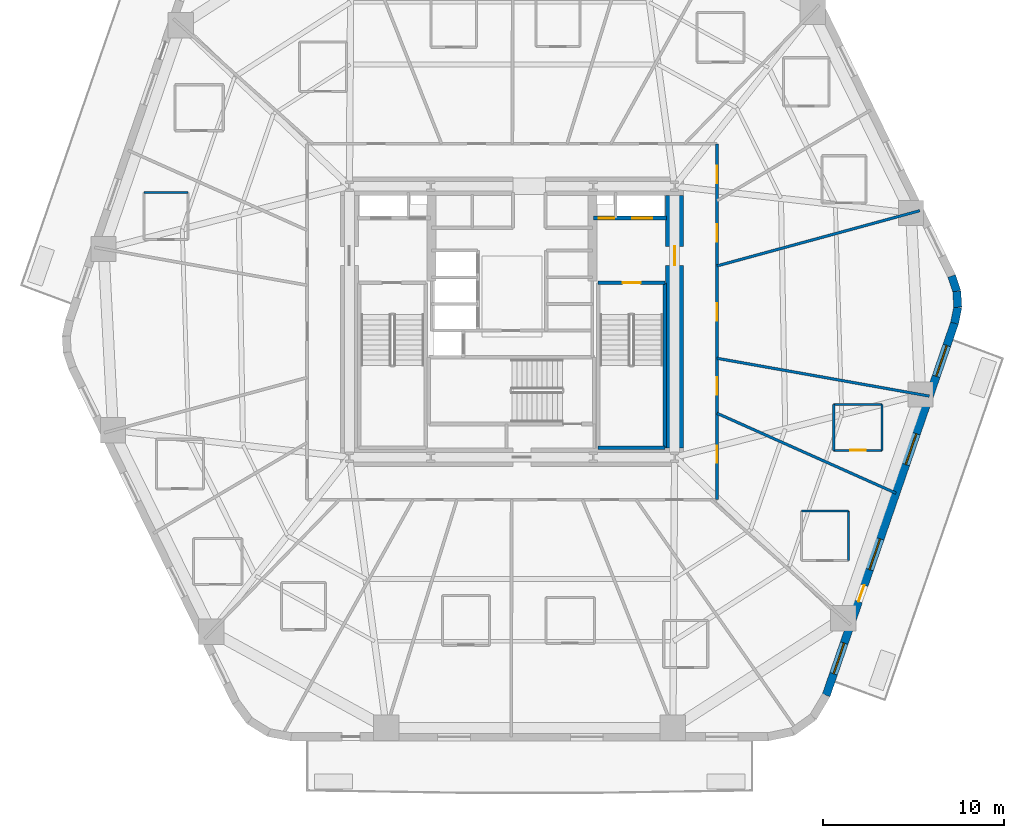
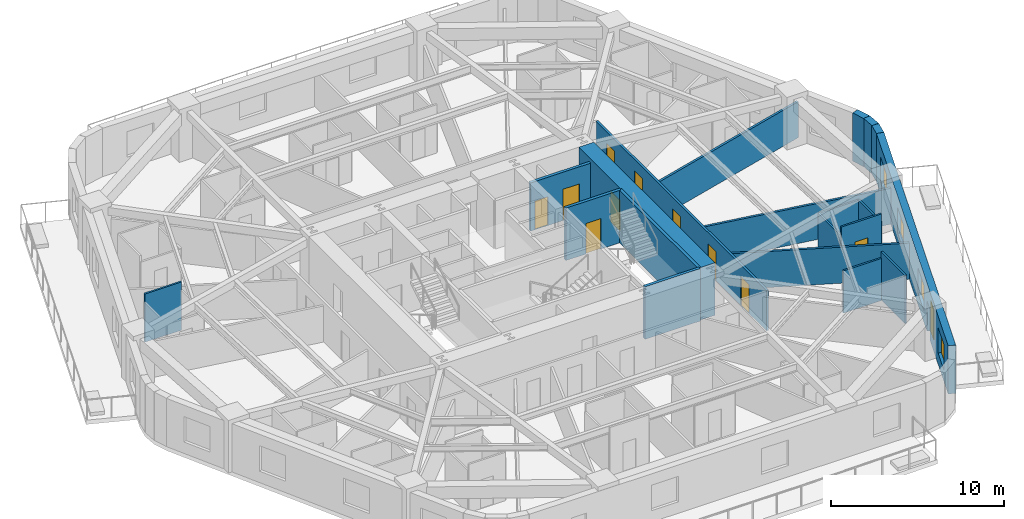
# One storey, part 5 of 11: 20 walls, 11 doors, 4 windows, 15 openings.
"""IFC4 building model written with IfcOpenShell, lengths in metres."""

from ifc_helpers import new_model, si_unit, direction, frame, frame_2d, origin, place, context, subcontext, project, spatial, rectangle, extrude, material, layer, layer_set, type_object, element, fill, save


model = new_model("IFC4")

# Units and contexts
model_context = context("Model", 3, precision=1e-05, world=origin(), true_north=direction((0.0, 1.0)))
body_context = subcontext(model_context, "Body", "Model", "MODEL_VIEW")
ifc_project = project(units=[si_unit("LENGTHUNIT", "METRE"), si_unit("AREAUNIT", "SQUARE_METRE"), si_unit("VOLUMEUNIT", "CUBIC_METRE"), si_unit("PLANEANGLEUNIT", "RADIAN"), si_unit("MASSUNIT", "GRAM", prefix="KILO")], contexts=[model_context])

# Site, building, storey
site_placement = place(None, origin())
site = spatial("IfcSite", under=ifc_project, at=site_placement, CompositionType="ELEMENT")
building_placement = place(site_placement, origin())
building = spatial("IfcBuilding", under=site, at=building_placement, Name="Kilnhurst Terrace Hotel", CompositionType="ELEMENT")
storey_placement = place(building_placement, frame((0.0, 0.0, 34.199951171875)))
storey = spatial("IfcBuildingStorey", under=building, at=storey_placement, Name="L06", CompositionType="ELEMENT", Elevation=34.199951171875)

# Walls
ifc_material_1 = material(Name="Precast concrete C40/50", Category="concrete")
ifc_layer_1 = layer(ifc_material_1, 0.449951171875, Name="Precast concrete C40/50")
ifc_layer_set_1 = layer_set([ifc_layer_1], Name="Precast concrete C40/50")
wall_type_1 = type_object("IfcWallType", Name="WL-BRK-450", PredefinedType="SOLIDWALL", material=ifc_layer_set_1)
wall_1_placement = place(storey_placement, frame((24.49560546875, -0.07666015625, 0.0), z_axis=(0.0, 0.0, 1.0), x_axis=(0.199570594521, 0.979883451132, 0.0)))
element("IfcWall", 1, at=wall_1_placement, inside=storey, type_object=wall_type_1, Name="L06 Rounded Corner Brick Wall C3.1", PredefinedType="SOLIDWALL", context=body_context, shape_type="SweptSolid", body=[
    extrude(rectangle(XDim=0.896728515625, YDim=0.449951171875, at=frame_2d((0.4482421875, 0.0))), origin(), (0.0, 0.0, 1.0), 3.400146484375),
])
wall_2_placement = place(storey_placement, frame((24.674560546875, 0.802001953125, 0.0), z_axis=(0.0, 0.0, 1.0), x_axis=(-0.061188874166, 0.998126205286, 0.0)))
element("IfcWall", 2, at=wall_2_placement, inside=storey, type_object=wall_type_1, Name="L06 Rounded Corner Brick Wall C3.2", PredefinedType="SOLIDWALL", context=body_context, shape_type="SweptSolid", body=[
    extrude(rectangle(XDim=0.8818359375, YDim=0.449951171875, at=frame_2d((0.44091796875, 0.0))), origin(), (0.0, 0.0, 1.0), 3.400146484375),
])
wall_3_placement = place(storey_placement, frame((24.62060546875, 1.68212890625, 0.0), z_axis=(0.0, 0.0, 1.0), x_axis=(-0.317697451681, 0.948192137278, 0.0)))
element("IfcWall", 3, at=wall_3_placement, inside=storey, type_object=wall_type_1, Name="L06 Rounded Corner Brick Wall C3.3", PredefinedType="SOLIDWALL", context=body_context, shape_type="SweptSolid", body=[
    extrude(rectangle(XDim=0.896728515625, YDim=0.449951171875, at=frame_2d((0.4482421875, 0.0))), origin(), (0.0, 0.0, 1.0), 3.400146484375),
])

# Wall, openings, door, windows
wall_4_placement = place(storey_placement, frame((17.3896484375, -20.678466796875, 0.0), z_axis=(0.0, 0.0, 1.0), x_axis=(0.326068018294, 0.945346310854, 0.0)))
wall_4 = element("IfcWall", 4, at=wall_4_placement, inside=storey, type_object=wall_type_1, Name="L06 Exterior Brick Facade Wall F2", PredefinedType="SOLIDWALL", context=body_context, shape_type="SweptSolid", body=[
    extrude(rectangle(XDim=21.79296875, YDim=0.449951171875, at=frame_2d((10.896484375, 0.0))), origin(), (0.0, 0.0, 1.0), 3.400146484375),
])
opening_1_placement = place(wall_4_placement, frame((5.492919921875, 0.0, 0.0)))
opening_1 = element("IfcOpeningElement", 5, at=opening_1_placement, cuts=wall_4, Name="Opening BD-950", PredefinedType="OPENING", context=body_context, shape_type="SweptSolid", body=[
    extrude(rectangle(XDim=0.949951171875, YDim=2.14990234375, at=frame_2d((0.47509765625, 1.074951171875))), frame((0.0, 0.23486328125, 0.0), z_axis=(0.0, -1.0, 0.0), x_axis=(1.0, 0.0, 0.0)), (0.0, 0.0, 1.0), 0.469970703125),
])
opening_2_placement = place(wall_4_placement, frame((1.260009765625, 0.0, 0.800048828125)))
opening_2 = element("IfcOpeningElement", 6, at=opening_2_placement, cuts=wall_4, Name="Opening W-01", PredefinedType="OPENING", context=body_context, shape_type="SweptSolid", body=[
    extrude(rectangle(XDim=1.800048828125, YDim=1.800048828125, at=frame_2d((0.89990234375, 0.89990234375))), frame((0.0, 0.23486328125, 0.0), z_axis=(0.0, -1.0, 0.0), x_axis=(1.0, 0.0, 0.0)), (0.0, 0.0, 1.0), 0.469970703125),
])
opening_3_placement = place(wall_4_placement, frame((7.363037109375, 0.0, 0.800048828125)))
opening_3 = element("IfcOpeningElement", 7, at=opening_3_placement, cuts=wall_4, Name="Opening W-01", PredefinedType="OPENING", context=body_context, shape_type="SweptSolid", body=[
    extrude(rectangle(XDim=1.800048828125, YDim=1.800048828125, at=frame_2d((0.89990234375, 0.89990234375))), frame((0.0, 0.23486328125, 0.0), z_axis=(0.0, -1.0, 0.0), x_axis=(1.0, 0.0, 0.0)), (0.0, 0.0, 1.0), 0.469970703125),
])
opening_4_placement = place(wall_4_placement, frame((13.51806640625, 0.0, 0.800048828125)))
opening_4 = element("IfcOpeningElement", 8, at=opening_4_placement, cuts=wall_4, Name="Opening W-01", PredefinedType="OPENING", context=body_context, shape_type="SweptSolid", body=[
    extrude(rectangle(XDim=1.800048828125, YDim=1.800048828125, at=frame_2d((0.89990234375, 0.89990234375))), frame((0.0, 0.23486328125, 0.0), z_axis=(0.0, -1.0, 0.0), x_axis=(1.0, 0.0, 0.0)), (0.0, 0.0, 1.0), 0.469970703125),
])
opening_5_placement = place(wall_4_placement, frame((18.679931640625, 0.0, 0.800048828125)))
opening_5 = element("IfcOpeningElement", 9, at=opening_5_placement, cuts=wall_4, Name="Opening W-01", PredefinedType="OPENING", context=body_context, shape_type="SweptSolid", body=[
    extrude(rectangle(XDim=1.800048828125, YDim=1.800048828125, at=frame_2d((0.89990234375, 0.89990234375))), frame((0.0, 0.23486328125, 0.0), z_axis=(0.0, -1.0, 0.0), x_axis=(1.0, 0.0, 0.0)), (0.0, 0.0, 1.0), 0.469970703125),
])
ifc_material_2 = material(Name="Thermally Broken Bronze Aluminium Alloy 6063-T6 and Laminated Glass", Category="aluminium")
door_type_1 = type_object("IfcDoorType", Name="DR-EXT-BAL-950", OperationType="NOTDEFINED", PredefinedType="DOOR", material=ifc_material_2)
door_1_placement = place(opening_1_placement, origin())
door_1 = element("IfcDoor", 10, at=door_1_placement, inside=storey, type_object=door_type_1, Name="L06 Planted Balcony Door BAL-L1B", OperationType="SINGLE_SWING_RIGHT", OverallHeight=2.14990234375, OverallWidth=0.949951171875, PredefinedType="DOOR", context=body_context, shape_type="SweptSolid", body=[
    extrude(rectangle(XDim=0.949951171875, YDim=2.14990234375, at=frame_2d((0.47509765625, 1.074951171875))), frame((0.0, 0.02490234375, 0.0), z_axis=(0.0, -1.0, 0.0), x_axis=(1.0, 0.0, 0.0)), (0.0, 0.0, 1.0), 0.050048828125),
])
fill(opening_1, door_1)
ifc_material_3 = material(Name="Thermally Broken Bronze Aluminium Alloy 6063-T6 and Low-E Glass", Category="aluminium")
window_type = type_object("IfcWindowType", Name="WIN-1800X1800", PartitioningType="SINGLE_PANEL", PredefinedType="WINDOW", material=ifc_material_3)
window_1_placement = place(opening_2_placement, origin())
window_1 = element("IfcWindow", 11, at=window_1_placement, inside=storey, type_object=window_type, Name="L06 Deep-Set Masonry Window F2.1", OverallHeight=1.800048828125, OverallWidth=1.800048828125, PartitioningType="SINGLE_PANEL", PredefinedType="WINDOW", context=body_context, shape_type="SweptSolid", body=[
    extrude(rectangle(XDim=1.800048828125, YDim=1.800048828125, at=frame_2d((0.89990234375, 0.89990234375))), frame((0.0, 0.030029296875, 0.0), z_axis=(0.0, -1.0, 0.0), x_axis=(1.0, 0.0, 0.0)), (0.0, 0.0, 1.0), 0.06005859375),
])
fill(opening_2, window_1)
window_2_placement = place(opening_3_placement, origin())
window_2 = element("IfcWindow", 12, at=window_2_placement, inside=storey, type_object=window_type, Name="L06 Deep-Set Masonry Window F2.2", OverallHeight=1.800048828125, OverallWidth=1.800048828125, PartitioningType="SINGLE_PANEL", PredefinedType="WINDOW", context=body_context, shape_type="SweptSolid", body=[
    extrude(rectangle(XDim=1.800048828125, YDim=1.800048828125, at=frame_2d((0.89990234375, 0.89990234375))), frame((0.0, 0.030029296875, 0.0), z_axis=(0.0, -1.0, 0.0), x_axis=(1.0, 0.0, 0.0)), (0.0, 0.0, 1.0), 0.06005859375),
])
fill(opening_3, window_2)
window_3_placement = place(opening_4_placement, origin())
window_3 = element("IfcWindow", 13, at=window_3_placement, inside=storey, type_object=window_type, Name="L06 Deep-Set Masonry Window F2.3", OverallHeight=1.800048828125, OverallWidth=1.800048828125, PartitioningType="SINGLE_PANEL", PredefinedType="WINDOW", context=body_context, shape_type="SweptSolid", body=[
    extrude(rectangle(XDim=1.800048828125, YDim=1.800048828125, at=frame_2d((0.89990234375, 0.89990234375))), frame((0.0, 0.030029296875, 0.0), z_axis=(0.0, -1.0, 0.0), x_axis=(1.0, 0.0, 0.0)), (0.0, 0.0, 1.0), 0.06005859375),
])
fill(opening_4, window_3)
window_4_placement = place(opening_5_placement, origin())
window_4 = element("IfcWindow", 14, at=window_4_placement, inside=storey, type_object=window_type, Name="L06 Deep-Set Masonry Window F2.4", OverallHeight=1.800048828125, OverallWidth=1.800048828125, PartitioningType="SINGLE_PANEL", PredefinedType="WINDOW", context=body_context, shape_type="SweptSolid", body=[
    extrude(rectangle(XDim=1.800048828125, YDim=1.800048828125, at=frame_2d((0.89990234375, 0.89990234375))), frame((0.0, 0.030029296875, 0.0), z_axis=(0.0, -1.0, 0.0), x_axis=(1.0, 0.0, 0.0)), (0.0, 0.0, 1.0), 0.06005859375),
])
fill(opening_5, window_4)

# Wall, openings, doors
ifc_material_4 = material(Name="Acoustic Double-Gypsum Corridor Partition Assembly")
ifc_layer_2 = layer(ifc_material_4, 0.14990234375, Name="Acoustic Double-Gypsum Corridor Partition Assembly")
ifc_layer_set_2 = layer_set([ifc_layer_2], Name="Acoustic Double-Gypsum Corridor Partition Assembly")
wall_type_2 = type_object("IfcWallType", Name="WL-COR-150", PredefinedType="PARTITIONING", material=ifc_layer_set_2)
wall_5_placement = place(storey_placement, frame((11.35009765625, 9.85009765625, 0.0), z_axis=(0.0, 0.0, 1.0), x_axis=(0.0, -1.0, 0.0)))
wall_5 = element("IfcWall", 15, at=wall_5_placement, inside=storey, type_object=wall_type_2, Name="L06 Interior Wall WL-L06-COR-03", PredefinedType="PARTITIONING", context=body_context, shape_type="SweptSolid", body=[
    extrude(rectangle(XDim=19.7001953125, YDim=0.14990234375, at=frame_2d((9.85009765625, 0.0))), origin(), (0.0, 0.0, 1.0), 2.840087890625),
])
opening_6_placement = place(wall_5_placement, frame((4.4609375, 0.0, 0.0)))
opening_6 = element("IfcOpeningElement", 16, at=opening_6_placement, cuts=wall_5, Name="Opening D-60B", PredefinedType="OPENING", context=body_context, shape_type="SweptSolid", body=[
    extrude(rectangle(XDim=0.949951171875, YDim=2.030029296875, at=frame_2d((0.47509765625, 1.01513671875))), frame((0.0, 0.0849609375, 0.0), z_axis=(0.0, -1.0, 0.0), x_axis=(1.0, 0.0, 0.0)), (0.0, 0.0, 1.0), 0.169921875),
])
opening_7_placement = place(wall_5_placement, frame((1.220947265625, 0.0, 0.0)))
opening_7 = element("IfcOpeningElement", 17, at=opening_7_placement, cuts=wall_5, Name="Opening D-60B", PredefinedType="OPENING", context=body_context, shape_type="SweptSolid", body=[
    extrude(rectangle(XDim=0.949951171875, YDim=2.030029296875, at=frame_2d((0.47509765625, 1.01513671875))), frame((0.0, 0.0849609375, 0.0), z_axis=(0.0, -1.0, 0.0), x_axis=(1.0, 0.0, 0.0)), (0.0, 0.0, 1.0), 0.169921875),
])
opening_8_placement = place(wall_5_placement, frame((16.714111328125, 0.0, 0.0)))
opening_8 = element("IfcOpeningElement", 18, at=opening_8_placement, cuts=wall_5, Name="Opening D-60B", PredefinedType="OPENING", context=body_context, shape_type="SweptSolid", body=[
    extrude(rectangle(XDim=0.949951171875, YDim=2.030029296875, at=frame_2d((0.47509765625, 1.01513671875))), frame((0.0, 0.0849609375, 0.0), z_axis=(0.0, -1.0, 0.0), x_axis=(1.0, 0.0, 0.0)), (0.0, 0.0, 1.0), 0.169921875),
])
opening_9_placement = place(wall_5_placement, frame((12.931884765625, 0.0, 0.0)))
opening_9 = element("IfcOpeningElement", 19, at=opening_9_placement, cuts=wall_5, Name="Opening D-60B", PredefinedType="OPENING", context=body_context, shape_type="SweptSolid", body=[
    extrude(rectangle(XDim=0.949951171875, YDim=2.030029296875, at=frame_2d((0.47509765625, 1.01513671875))), frame((0.0, 0.0849609375, 0.0), z_axis=(0.0, -1.0, 0.0), x_axis=(1.0, 0.0, 0.0)), (0.0, 0.0, 1.0), 0.169921875),
])
opening_10_placement = place(wall_5_placement, frame((8.837890625, 0.0, 0.0)))
opening_10 = element("IfcOpeningElement", 20, at=opening_10_placement, cuts=wall_5, Name="Opening D-60B", PredefinedType="OPENING", context=body_context, shape_type="SweptSolid", body=[
    extrude(rectangle(XDim=0.949951171875, YDim=2.030029296875, at=frame_2d((0.47509765625, 1.01513671875))), frame((0.0, 0.0849609375, 0.0), z_axis=(0.0, -1.0, 0.0), x_axis=(1.0, 0.0, 0.0)), (0.0, 0.0, 1.0), 0.169921875),
])
ifc_material_5 = material(Name="Acoustic Walnut Veneer Solid-Core Fire Door")
door_type_2 = type_object("IfcDoorType", Name="DR-FD60-950", OperationType="NOTDEFINED", PredefinedType="DOOR", material=ifc_material_5)
door_2_placement = place(opening_6_placement, origin())
door_2 = element("IfcDoor", 21, at=door_2_placement, inside=storey, type_object=door_type_2, Name="L06 Guest Room Entry Door 1", OperationType="SINGLE_SWING_LEFT", OverallHeight=2.030029296875, OverallWidth=0.949951171875, PredefinedType="DOOR", context=body_context, shape_type="SweptSolid", body=[
    extrude(rectangle(XDim=0.949951171875, YDim=2.030029296875, at=frame_2d((0.47509765625, 1.01513671875))), frame((0.0, 0.02490234375, 0.0), z_axis=(0.0, -1.0, 0.0), x_axis=(1.0, 0.0, 0.0)), (0.0, 0.0, 1.0), 0.050048828125),
])
fill(opening_6, door_2)
door_3_placement = place(opening_7_placement, origin())
door_3 = element("IfcDoor", 22, at=door_3_placement, inside=storey, type_object=door_type_2, Name="L06 Guest Room Entry Door 2", OperationType="SINGLE_SWING_RIGHT", OverallHeight=2.030029296875, OverallWidth=0.949951171875, PredefinedType="DOOR", context=body_context, shape_type="SweptSolid", body=[
    extrude(rectangle(XDim=0.949951171875, YDim=2.030029296875, at=frame_2d((0.47509765625, 1.01513671875))), frame((0.0, 0.02490234375, 0.0), z_axis=(0.0, -1.0, 0.0), x_axis=(1.0, 0.0, 0.0)), (0.0, 0.0, 1.0), 0.050048828125),
])
fill(opening_7, door_3)
door_4_placement = place(opening_8_placement, origin())
door_4 = element("IfcDoor", 23, at=door_4_placement, inside=storey, type_object=door_type_2, Name="L06 Guest Room Entry Door 19", OperationType="SINGLE_SWING_LEFT", OverallHeight=2.030029296875, OverallWidth=0.949951171875, PredefinedType="DOOR", context=body_context, shape_type="SweptSolid", body=[
    extrude(rectangle(XDim=0.949951171875, YDim=2.030029296875, at=frame_2d((0.47509765625, 1.01513671875))), frame((0.0, 0.02490234375, 0.0), z_axis=(0.0, -1.0, 0.0), x_axis=(1.0, 0.0, 0.0)), (0.0, 0.0, 1.0), 0.050048828125),
])
fill(opening_8, door_4)
door_5_placement = place(opening_9_placement, origin())
door_5 = element("IfcDoor", 24, at=door_5_placement, inside=storey, type_object=door_type_2, Name="L06 Guest Room Entry Door 20", OperationType="SINGLE_SWING_RIGHT", OverallHeight=2.030029296875, OverallWidth=0.949951171875, PredefinedType="DOOR", context=body_context, shape_type="SweptSolid", body=[
    extrude(rectangle(XDim=0.949951171875, YDim=2.030029296875, at=frame_2d((0.47509765625, 1.01513671875))), frame((0.0, 0.02490234375, 0.0), z_axis=(0.0, -1.0, 0.0), x_axis=(1.0, 0.0, 0.0)), (0.0, 0.0, 1.0), 0.050048828125),
])
fill(opening_9, door_5)
door_6_placement = place(opening_10_placement, origin())
door_6 = element("IfcDoor", 25, at=door_6_placement, inside=storey, type_object=door_type_2, Name="L06 Business Study Door", OperationType="SINGLE_SWING_LEFT", OverallHeight=2.030029296875, OverallWidth=0.949951171875, PredefinedType="DOOR", context=body_context, shape_type="SweptSolid", body=[
    extrude(rectangle(XDim=0.949951171875, YDim=2.030029296875, at=frame_2d((0.47509765625, 1.01513671875))), frame((0.0, 0.02490234375, 0.0), z_axis=(0.0, -1.0, 0.0), x_axis=(1.0, 0.0, 0.0)), (0.0, 0.0, 1.0), 0.050048828125),
])
fill(opening_10, door_6)

# Wall, opening, door
ifc_material_6 = material(Name="Concrete C80/95", Category="concrete")
ifc_layer_3 = layer(ifc_material_6, 1.0, Name="Concrete C80/95")
ifc_layer_set_3 = layer_set([ifc_layer_3], Name="Concrete C80/95")
wall_type_3 = type_object("IfcWallType", Name="WL-CORE-1000", PredefinedType="SHEAR", material=ifc_layer_set_3)
wall_6_placement = place(storey_placement, frame((9.0, -7.0, 0.0), z_axis=(0.0, 0.0, 1.0), x_axis=(0.0, 1.0, 0.0)))
wall_6 = element("IfcWall", 26, at=wall_6_placement, inside=storey, type_object=wall_type_3, Name="L06 Core East Shear Wall", PredefinedType="SHEAR", context=body_context, shape_type="SweptSolid", body=[
    extrude(rectangle(XDim=14.0, YDim=1.0, at=frame_2d((7.0, 0.0))), origin(), (0.0, 0.0, 1.0), 3.699951171875),
])
opening_11_placement = place(wall_6_placement, frame((10.125, 0.0, 0.0)))
opening_11 = element("IfcOpeningElement", 27, at=opening_11_placement, cuts=wall_6, Name="Opening D-90A", PredefinedType="OPENING", context=body_context, shape_type="SweptSolid", body=[
    extrude(rectangle(XDim=1.050048828125, YDim=2.14990234375, at=frame_2d((0.52490234375, 1.074951171875))), frame((0.0, 0.510009765625, 0.0), z_axis=(0.0, -1.0, 0.0), x_axis=(1.0, 0.0, 0.0)), (0.0, 0.0, 1.0), 1.02001953125),
])
ifc_material_7 = material(Name="Painted Hollow Metal Steel ASTM A36 Fire Door", Category="steel")
door_type_3 = type_object("IfcDoorType", Name="DR-FD90-1050", OperationType="NOTDEFINED", PredefinedType="DOOR", material=ifc_material_7)
door_7_placement = place(opening_11_placement, origin())
door_7 = element("IfcDoor", 28, at=door_7_placement, inside=storey, type_object=door_type_3, Name="L06 East Firefighting Lobby Door", OperationType="SINGLE_SWING_LEFT", OverallHeight=2.14990234375, OverallWidth=1.050048828125, PredefinedType="DOOR", context=body_context, shape_type="SweptSolid", body=[
    extrude(rectangle(XDim=1.050048828125, YDim=2.14990234375, at=frame_2d((0.52490234375, 1.074951171875))), frame((0.0, 0.02490234375, 0.0), z_axis=(0.0, -1.0, 0.0), x_axis=(1.0, 0.0, 0.0)), (0.0, 0.0, 1.0), 0.050048828125),
])
fill(opening_11, door_7)

# Walls
ifc_material_8 = material(Name="STC-58 Acoustic Twin-Frame Guestroom Demising Partition")
ifc_layer_4 = layer(ifc_material_8, 0.14990234375, Name="STC-58 Acoustic Twin-Frame Guestroom Demising Partition")
ifc_layer_set_4 = layer_set([ifc_layer_4], Name="STC-58 Acoustic Twin-Frame Guestroom Demising Partition")
wall_type_4 = type_object("IfcWallType", Name="WL-DEM-150", PredefinedType="PARTITIONING", material=ifc_layer_set_4)
wall_7_placement = place(storey_placement, frame((11.35009765625, 3.0908203125, 0.0), z_axis=(0.0, 0.0, 1.0), x_axis=(0.964859685283, 0.262765651704, 0.0)))
element("IfcWall", 29, at=wall_7_placement, inside=storey, type_object=wall_type_4, Name="L06 Interior Wall WL-L06-DEM-COL01-01-1", PredefinedType="PARTITIONING", context=body_context, shape_type="SweptSolid", body=[
    extrude(rectangle(XDim=11.62890625, YDim=0.14990234375, at=frame_2d((5.814453125, 0.0))), origin(), (0.0, 0.0, 1.0), 2.5400390625),
])
wall_8_placement = place(storey_placement, frame((11.35009765625, -5.068115234375, 0.0), z_axis=(0.0, 0.0, 1.0), x_axis=(0.913107192911, -0.407719577963, 0.0)))
element("IfcWall", 30, at=wall_8_placement, inside=storey, type_object=wall_type_4, Name="L06 Interior Wall WL-L06-DEM-MID11-20-1", PredefinedType="PARTITIONING", context=body_context, shape_type="SweptSolid", body=[
    extrude(rectangle(XDim=10.84130859375, YDim=0.14990234375, at=frame_2d((5.420654296875, 0.0))), origin(), (0.0, 0.0, 1.0), 2.5400390625),
])
wall_9_placement = place(storey_placement, frame((11.35009765625, -2.022705078125, 0.0), z_axis=(0.0, 0.0, 1.0), x_axis=(0.984493741877, -0.17541970301, 0.0)))
element("IfcWall", 31, at=wall_9_placement, inside=storey, type_object=wall_type_4, Name="L06 Interior Wall WL-L06-DEM-COL12-21-1", PredefinedType="PARTITIONING", context=body_context, shape_type="SweptSolid", body=[
    extrude(rectangle(XDim=11.93701171875, YDim=0.14990234375, at=frame_2d((5.968505859375, 0.0))), origin(), (0.0, 0.0, 1.0), 2.5400390625),
])
ifc_material_9 = material(Name="120 mm Moisture-Resistant Tile-Backed Bathroom Partition")
ifc_layer_5 = layer(ifc_material_9, 0.1201171875, Name="120 mm Moisture-Resistant Tile-Backed Bathroom Partition")
ifc_layer_set_5 = layer_set([ifc_layer_5], Name="120 mm Moisture-Resistant Tile-Backed Bathroom Partition")
wall_type_5 = type_object("IfcWallType", Name="WL-PART-120", PredefinedType="PARTITIONING", material=ifc_layer_set_5)
wall_10_placement = place(storey_placement, frame((-17.928955078125, 7.154052734375, 0.0), z_axis=(0.0, 0.0, 1.0), x_axis=(-1.0, 0.0, 0.0)))
element("IfcWall", 32, at=wall_10_placement, inside=storey, type_object=wall_type_5, Name="L06 Interior Wall WL-L06-BTH-09-3", PredefinedType="PARTITIONING", context=body_context, shape_type="SweptSolid", body=[
    extrude(rectangle(XDim=2.43994140625, YDim=0.1201171875, at=frame_2d((1.219970703125, 0.0))), origin(), (0.0, 0.0, 1.0), 3.400146484375),
])
wall_11_placement = place(storey_placement, frame((18.618896484375, -13.218994140625, 0.0), z_axis=(0.0, 0.0, 1.0), x_axis=(0.0, 1.0, 0.0)))
element("IfcWall", 33, at=wall_11_placement, inside=storey, type_object=wall_type_5, Name="L06 Interior Wall WL-L06-BTH-19-2", PredefinedType="PARTITIONING", context=body_context, shape_type="SweptSolid", body=[
    extrude(rectangle(XDim=2.75, YDim=0.1201171875, at=frame_2d((1.375, 0.0))), origin(), (0.0, 0.0, 1.0), 3.400146484375),
])
wall_12_placement = place(storey_placement, frame((18.618896484375, -10.468994140625, 0.0), z_axis=(0.0, 0.0, 1.0), x_axis=(-1.0, 0.0, 0.0)))
element("IfcWall", 34, at=wall_12_placement, inside=storey, type_object=wall_type_5, Name="L06 Interior Wall WL-L06-BTH-19-3", PredefinedType="PARTITIONING", context=body_context, shape_type="SweptSolid", body=[
    extrude(rectangle(XDim=2.599853515625, YDim=0.1201171875, at=frame_2d((1.2998046875, 0.0))), origin(), (0.0, 0.0, 1.0), 2.972412109375),
])

# Wall, opening, door
wall_13_placement = place(storey_placement, frame((17.80908203125, -7.118896484375, 0.0), z_axis=(0.0, 0.0, 1.0), x_axis=(1.0, 0.0, 0.0)))
wall_13 = element("IfcWall", 35, at=wall_13_placement, inside=storey, type_object=wall_type_5, Name="L06 Interior Wall WL-L06-BTH-20-1", PredefinedType="PARTITIONING", context=body_context, shape_type="SweptSolid", body=[
    extrude(rectangle(XDim=2.679931640625, YDim=0.1201171875, at=frame_2d((1.33984375, 0.0))), origin(), (0.0, 0.0, 1.0), 3.400146484375),
])
opening_12_placement = place(wall_13_placement, frame((0.9150390625, 0.0, 0.0)))
opening_12 = element("IfcOpeningElement", 36, at=opening_12_placement, cuts=wall_13, Name="Opening D-08A", PredefinedType="OPENING", context=body_context, shape_type="SweptSolid", body=[
    extrude(rectangle(XDim=0.85009765625, YDim=2.030029296875, at=frame_2d((0.425048828125, 1.01513671875))), frame((0.0, 0.070068359375, 0.0), z_axis=(0.0, -1.0, 0.0), x_axis=(1.0, 0.0, 0.0)), (0.0, 0.0, 1.0), 0.14013671875),
])
ifc_material_10 = material(Name="Moisture-Resistant Lacquered En-suite Bathroom Door")
door_type_4 = type_object("IfcDoorType", Name="DR-INT-850", OperationType="NOTDEFINED", PredefinedType="DOOR", material=ifc_material_10)
door_8_placement = place(opening_12_placement, origin())
door_8 = element("IfcDoor", 37, at=door_8_placement, inside=storey, type_object=door_type_4, Name="L06 En-suite Bathroom Door 20", OperationType="SINGLE_SWING_LEFT", OverallHeight=2.030029296875, OverallWidth=0.85009765625, PredefinedType="DOOR", context=body_context, shape_type="SweptSolid", body=[
    extrude(rectangle(XDim=0.85009765625, YDim=2.030029296875, at=frame_2d((0.425048828125, 1.01513671875))), frame((0.0, 0.02490234375, 0.0), z_axis=(0.0, -1.0, 0.0), x_axis=(1.0, 0.0, 0.0)), (0.0, 0.0, 1.0), 0.050048828125),
])
fill(opening_12, door_8)

# Walls
wall_14_placement = place(storey_placement, frame((20.489013671875, -7.118896484375, 0.0), z_axis=(0.0, 0.0, 1.0), x_axis=(0.0, 1.0, 0.0)))
element("IfcWall", 38, at=wall_14_placement, inside=storey, type_object=wall_type_5, Name="L06 Interior Wall WL-L06-BTH-20-2", PredefinedType="PARTITIONING", context=body_context, shape_type="SweptSolid", body=[
    extrude(rectangle(XDim=2.539794921875, YDim=0.1201171875, at=frame_2d((1.27001953125, 0.0))), origin(), (0.0, 0.0, 1.0), 2.840087890625),
])
wall_15_placement = place(storey_placement, frame((20.489013671875, -4.5791015625, 0.0), z_axis=(0.0, 0.0, 1.0), x_axis=(-1.0, 0.0, 0.0)))
element("IfcWall", 39, at=wall_15_placement, inside=storey, type_object=wall_type_5, Name="L06 Interior Wall WL-L06-BTH-20-3", PredefinedType="PARTITIONING", context=body_context, shape_type="SweptSolid", body=[
    extrude(rectangle(XDim=2.679931640625, YDim=0.1201171875, at=frame_2d((1.33984375, 0.0))), origin(), (0.0, 0.0, 1.0), 2.840087890625),
])
wall_16_placement = place(storey_placement, frame((17.80908203125, -4.5791015625, 0.0), z_axis=(0.0, 0.0, 1.0), x_axis=(0.0, -1.0, 0.0)))
element("IfcWall", 40, at=wall_16_placement, inside=storey, type_object=wall_type_5, Name="L06 Interior Wall WL-L06-BTH-20-4", PredefinedType="PARTITIONING", context=body_context, shape_type="SweptSolid", body=[
    extrude(rectangle(XDim=2.539794921875, YDim=0.1201171875, at=frame_2d((1.27001953125, 0.0))), origin(), (0.0, 0.0, 1.0), 2.840087890625),
])

# Wall, openings, doors
ifc_material_11 = material(Name="Autoclaved Aerated Concrete C30/37 and Gypsum Shaft Assembly", Category="concrete")
ifc_layer_6 = layer(ifc_material_11, 0.199951171875, Name="Autoclaved Aerated Concrete C30/37 and Gypsum Shaft Assembly")
ifc_layer_set_6 = layer_set([ifc_layer_6], Name="Autoclaved Aerated Concrete C30/37 and Gypsum Shaft Assembly")
wall_type_6 = type_object("IfcWallType", Name="WL-SHAFT-200", PredefinedType="PARTITIONING", material=ifc_layer_set_6)
wall_17_placement = place(storey_placement, frame((4.5, 5.739990234375, 0.0), z_axis=(0.0, 0.0, 1.0), x_axis=(1.0, 0.0, 0.0)))
wall_17 = element("IfcWall", 41, at=wall_17_placement, inside=storey, type_object=wall_type_6, Name="L06 Interior Wall WL-L06-FSAE2-S", PredefinedType="PARTITIONING", context=body_context, shape_type="SweptSolid", body=[
    extrude(rectangle(XDim=4.050048828125, YDim=0.199951171875, at=frame_2d((2.02490234375, 0.0))), origin(), (0.0, 0.0, 1.0), 3.400146484375),
])
opening_13_placement = place(wall_17_placement, frame((0.300048828125, 0.0, 0.0)))
opening_13 = element("IfcOpeningElement", 42, at=opening_13_placement, cuts=wall_17, Name="Opening D-60D", PredefinedType="OPENING", context=body_context, shape_type="SweptSolid", body=[
    extrude(rectangle(XDim=0.85009765625, YDim=2.030029296875, at=frame_2d((0.425048828125, 1.01513671875))), frame((0.0, 0.10986328125, 0.0), z_axis=(0.0, -1.0, 0.0), x_axis=(1.0, 0.0, 0.0)), (0.0, 0.0, 1.0), 0.219970703125),
])
opening_14_placement = place(wall_17_placement, frame((2.14990234375, 0.0, 0.0)))
opening_14 = element("IfcOpeningElement", 43, at=opening_14_placement, cuts=wall_17, Name="Opening LD-F2", PredefinedType="OPENING", context=body_context, shape_type="SweptSolid", body=[
    extrude(rectangle(XDim=1.10009765625, YDim=2.199951171875, at=frame_2d((0.550048828125, 1.10009765625))), frame((0.0, 0.10986328125, 0.0), z_axis=(0.0, -1.0, 0.0), x_axis=(1.0, 0.0, 0.0)), (0.0, 0.0, 1.0), 0.219970703125),
])
ifc_material_12 = material(Name="Painted Hollow Metal Steel ASTM A36 Riser Door", Category="steel")
door_type_5 = type_object("IfcDoorType", Name="DR-FD60-850", OperationType="NOTDEFINED", PredefinedType="DOOR", material=ifc_material_12)
door_9_placement = place(opening_13_placement, origin())
door_9 = element("IfcDoor", 44, at=door_9_placement, inside=storey, type_object=door_type_5, Name="L06 Telecom Riser Door", OperationType="SINGLE_SWING_RIGHT", OverallHeight=2.030029296875, OverallWidth=0.85009765625, PredefinedType="DOOR", context=body_context, shape_type="SweptSolid", body=[
    extrude(rectangle(XDim=0.85009765625, YDim=2.030029296875, at=frame_2d((0.425048828125, 1.01513671875))), frame((0.0, 0.02490234375, 0.0), z_axis=(0.0, -1.0, 0.0), x_axis=(1.0, 0.0, 0.0)), (0.0, 0.0, 1.0), 0.050048828125),
])
fill(opening_13, door_9)
ifc_material_13 = material(Name="Bronze-Anodized Stainless Steel AISI 316L Sliding Door", Category="steel")
door_type_6 = type_object("IfcDoorType", Name="DR-LIFT-1100", OperationType="NOTDEFINED", PredefinedType="DOOR", material=ifc_material_13)
door_10_placement = place(opening_14_placement, origin())
door_10 = element("IfcDoor", 45, at=door_10_placement, inside=storey, type_object=door_type_6, Name="L06 FSAE-2 Landing Door", OperationType="SLIDING_TO_RIGHT", OverallHeight=2.199951171875, OverallWidth=1.10009765625, PredefinedType="DOOR", context=body_context, shape_type="SweptSolid", body=[
    extrude(rectangle(XDim=1.10009765625, YDim=2.199951171875, at=frame_2d((0.550048828125, 1.10009765625))), frame((0.0, 0.02490234375, 0.0), z_axis=(0.0, -1.0, 0.0), x_axis=(1.0, 0.0, 0.0)), (0.0, 0.0, 1.0), 0.050048828125),
])
fill(opening_14, door_10)

# Walls
ifc_material_14 = material(Name="Concrete C50/60", Category="concrete")
ifc_layer_7 = layer(ifc_material_14, 0.199951171875, Name="Concrete C50/60")
ifc_layer_set_7 = layer_set([ifc_layer_7], Name="Concrete C50/60")
wall_type_7 = type_object("IfcWallType", Name="WL-STAIR-RC-200", PredefinedType="SHEAR", material=ifc_layer_set_7)
wall_18_placement = place(storey_placement, frame((8.4580078125, -6.985107421875, 0.0), z_axis=(0.0, 0.0, 1.0), x_axis=(0.0, 1.0, 0.0)))
element("IfcWall", 46, at=wall_18_placement, inside=storey, type_object=wall_type_7, Name="L06 Structural Stair Shaft Wall WL-L06-ST2-E", PredefinedType="SHEAR", context=body_context, shape_type="SweptSolid", body=[
    extrude(rectangle(XDim=9.14306640625, YDim=0.199951171875, at=frame_2d((4.571533203125, 0.0))), origin(), (0.0, 0.0, 1.0), 3.699951171875),
])
wall_19_placement = place(storey_placement, frame((4.77197265625, -6.985107421875, 0.0), z_axis=(0.0, 0.0, 1.0), x_axis=(1.0, 0.0, 0.0)))
element("IfcWall", 47, at=wall_19_placement, inside=storey, type_object=wall_type_7, Name="L06 Structural Stair Shaft Wall WL-L06-ST2-S", PredefinedType="SHEAR", context=body_context, shape_type="SweptSolid", body=[
    extrude(rectangle(XDim=3.68603515625, YDim=0.199951171875, at=frame_2d((1.843017578125, 0.0))), origin(), (0.0, 0.0, 1.0), 3.699951171875),
])

# Wall, opening, door
wall_20_placement = place(storey_placement, frame((4.77197265625, 2.157958984375, 0.0), z_axis=(0.0, 0.0, 1.0), x_axis=(1.0, 0.0, 0.0)))
wall_20 = element("IfcWall", 48, at=wall_20_placement, inside=storey, type_object=wall_type_7, Name="L06 Structural Stair Shaft Wall WL-L06-ST2-N", PredefinedType="SHEAR", context=body_context, shape_type="SweptSolid", body=[
    extrude(rectangle(XDim=3.68603515625, YDim=0.199951171875, at=frame_2d((1.843017578125, 0.0))), origin(), (0.0, 0.0, 1.0), 3.699951171875),
])
opening_15_placement = place(wall_20_placement, frame((1.35009765625, 0.0, 0.0)))
opening_15 = element("IfcOpeningElement", 49, at=opening_15_placement, cuts=wall_20, Name="Opening D-90B", PredefinedType="OPENING", context=body_context, shape_type="SweptSolid", body=[
    extrude(rectangle(XDim=1.0, YDim=2.14990234375, at=frame_2d((0.5, 1.074951171875))), frame((0.0, 0.10986328125, 0.0), z_axis=(0.0, -1.0, 0.0), x_axis=(1.0, 0.0, 0.0)), (0.0, 0.0, 1.0), 0.219970703125),
])
door_type_7 = type_object("IfcDoorType", Name="DR-FD90-1000", OperationType="NOTDEFINED", PredefinedType="DOOR", material=ifc_material_7)
door_11_placement = place(opening_15_placement, origin())
door_11 = element("IfcDoor", 50, at=door_11_placement, inside=storey, type_object=door_type_7, Name="L06 Stair ST-2 Door", OperationType="SINGLE_SWING_RIGHT", OverallHeight=2.14990234375, OverallWidth=1.0, PredefinedType="DOOR", context=body_context, shape_type="SweptSolid", body=[
    extrude(rectangle(XDim=1.0, YDim=2.14990234375, at=frame_2d((0.5, 1.074951171875))), frame((0.0, 0.02490234375, 0.0), z_axis=(0.0, -1.0, 0.0), x_axis=(1.0, 0.0, 0.0)), (0.0, 0.0, 1.0), 0.050048828125),
])
fill(opening_15, door_11)

save(model, "model.ifc")
